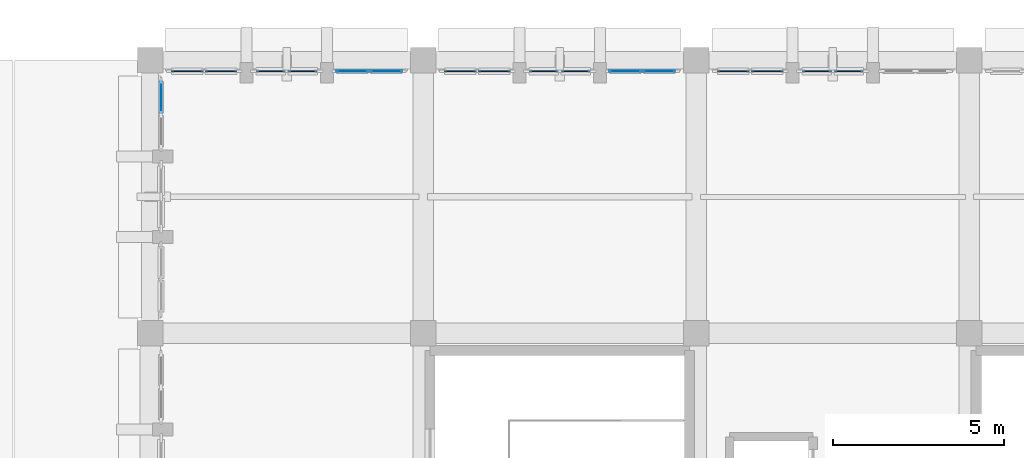
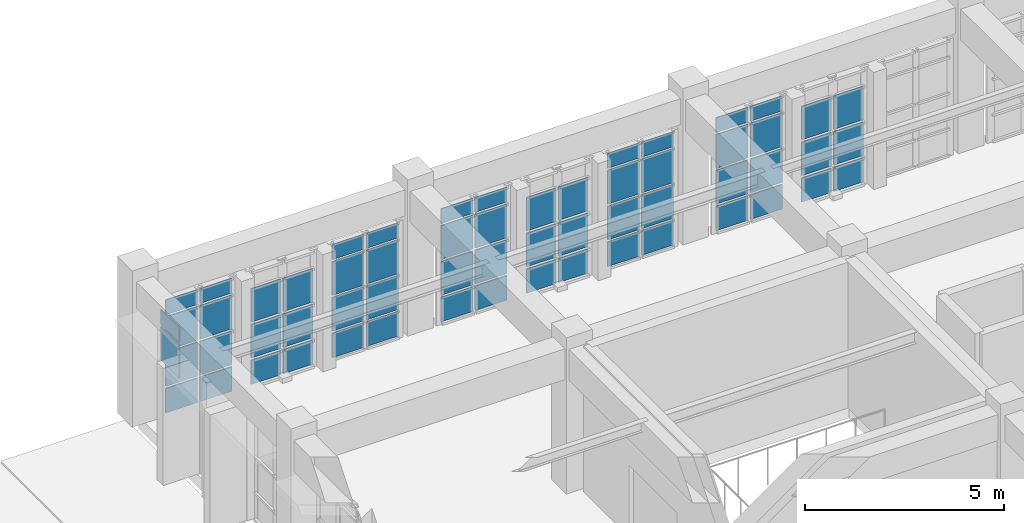
# One storey, part 103 of 155: 60 plates, 9 elements without a shape of their own.
"""IFC4 building model written with IfcOpenShell, lengths in metres."""

import ifcopenshell
import ifcopenshell.guid

model = None  # the IFC model being written
_history = None  # IfcOwnerHistory: only IFC2X3 demands one
_inside = {}  # id of a spatial element -> (the spatial element, [elements in it])
_under = {}  # id of a project, library or spatial element -> (it, [spatial elements below it])
_declared = {}  # id of a project -> (the project, [libraries it declares])
_typed = {}  # id of a type object -> (the type object, [elements of that type])
_made_of = {}  # id of a material, layer set ... -> (it, [elements and type objects made of it])


def new_model(schema):
    """Start an empty IFC model of exactly this schema.

    Asked for "IFC4X3", IfcOpenShell would pick the latest addendum, in which some entities
    have other attributes; the version numbers below select the first issue.
    IFC2X3 requires an IfcOwnerHistory on every rooted entity: one is made here for all.
    """
    global model, _history
    if schema == "IFC4X3":
        model = ifcopenshell.file(schema_version=(4, 3, 0, 0))
    else:
        model = ifcopenshell.file(schema=schema)
    _inside.clear()
    _under.clear()
    _declared.clear()
    _typed.clear()
    _made_of.clear()
    _history = None
    if model.schema == "IFC2X3":
        org = make("IfcOrganization", Name="unknown")
        user = make(
            "IfcPersonAndOrganization",
            ThePerson=make("IfcPerson", FamilyName="unknown"),
            TheOrganization=org,
        )
        app = make(
            "IfcApplication",
            ApplicationDeveloper=org,
            Version="unknown",
            ApplicationFullName="unknown",
            ApplicationIdentifier="unknown",
        )
        _history = make(
            "IfcOwnerHistory",
            OwningUser=user,
            OwningApplication=app,
            ChangeAction="ADDED",
            CreationDate=0,
        )
    return model


def make(cls, **values):
    """One entity of the class cls with the attributes given. An attribute that is None is left unset."""
    return model.create_entity(
        cls, **{name: value for name, value in values.items() if value is not None}
    )


def rooted(cls, **values):
    """An entity with a GlobalId (a new one), such as an element, a storey or a relation."""
    return make(cls, GlobalId=ifcopenshell.guid.new(), OwnerHistory=_history, **values)


def si_unit(unit_type, name, prefix=None):
    """IfcSIUnit, for example si_unit("LENGTHUNIT", "METRE", prefix="MILLI")."""
    return make("IfcSIUnit", UnitType=unit_type, Prefix=prefix, Name=name)


def assignment(units):
    """IfcUnitAssignment: the units of a project."""
    return None if units is None else make("IfcUnitAssignment", Units=units)


def point(xyz):
    """IfcCartesianPoint."""
    return None if xyz is None else make("IfcCartesianPoint", Coordinates=xyz)


def direction(xyz):
    """IfcDirection."""
    return None if xyz is None else make("IfcDirection", DirectionRatios=xyz)


def frame(location, z_axis=None, x_axis=None):
    """IfcAxis2Placement3D, a coordinate frame: its origin and axes. An axis left out is left unset."""
    return make(
        "IfcAxis2Placement3D",
        Location=point(location),
        Axis=direction(z_axis),
        RefDirection=direction(x_axis),
    )


def frame_2d(location, x_axis=None):
    """IfcAxis2Placement2D, a coordinate frame in the plane: its origin and x axis."""
    return make(
        "IfcAxis2Placement2D", Location=point(location), RefDirection=direction(x_axis)
    )


def origin():
    """The frame at (0, 0, 0) with its axes left unset."""
    return frame((0.0, 0.0, 0.0))


def origin_2d():
    """The frame at (0, 0) in the plane with its x axis left unset."""
    return frame_2d((0.0, 0.0))


def place(relative_to, where):
    """IfcLocalPlacement: puts the frame where relative to a parent placement (None: the world)."""
    return make(
        "IfcLocalPlacement", PlacementRelTo=relative_to, RelativePlacement=where
    )


def context(
    kind, dimensions, precision=None, world=None, true_north=None, identifier=None
):
    """IfcGeometricRepresentationContext, for example the 3D "Model" context."""
    return make(
        "IfcGeometricRepresentationContext",
        ContextIdentifier=identifier,
        ContextType=kind,
        CoordinateSpaceDimension=dimensions,
        Precision=precision,
        WorldCoordinateSystem=world,
        TrueNorth=true_north,
    )


def subcontext(parent, identifier, kind, view, scale=None):
    """IfcGeometricRepresentationSubContext, for example "Body" below "Model"."""
    return make(
        "IfcGeometricRepresentationSubContext",
        ContextIdentifier=identifier,
        ContextType=kind,
        ParentContext=parent,
        TargetScale=scale,
        TargetView=view,
    )


def project(units=None, contexts=None):
    """IfcProject with its units and contexts."""
    return rooted(
        "IfcProject",
        Name="project",
        RepresentationContexts=contexts,
        UnitsInContext=assignment(units),
    )


def spatial(cls, under=None, at=None, **own):
    """A site, building, storey or space (cls), placed at a placement, below another one or the project."""
    s = rooted(cls, ObjectPlacement=at, **own)
    if under is not None:
        _under.setdefault(under.id(), (under, []))[1].append(s)
    return s


def profile(cls, at=None, kind="AREA", **sizes):
    """A parametric profile (cls). Its sizes go by their IFC names, for example OverallWidth=200.0."""
    return make(cls, ProfileType=kind, Position=at, **sizes)


def rectangle(**sizes):
    """IfcRectangleProfileDef."""
    return profile("IfcRectangleProfileDef", **sizes)


def extrude(swept, where, along, depth):
    """IfcExtrudedAreaSolid: the profile swept, set in the frame where, extruded along a direction by depth."""
    return make(
        "IfcExtrudedAreaSolid",
        SweptArea=swept,
        Position=where,
        ExtrudedDirection=direction(along),
        Depth=depth,
    )


def shape(context_of_items, identifier, shape_type, items):
    """IfcShapeRepresentation: the items that make up one representation, for example the "Body"."""
    return make(
        "IfcShapeRepresentation",
        ContextOfItems=context_of_items,
        RepresentationIdentifier=identifier,
        RepresentationType=shape_type,
        Items=items,
    )


def material(Name=None, Category=None):
    """IfcMaterial."""
    return make("IfcMaterial", Name=Name, Category=Category)


def layer(
    of_material, thickness, ventilated=None, Name=None, Category=None, Priority=None
):
    """IfcMaterialLayer: one layer of a wall or slab, of a material (None: an air gap)."""
    return make(
        "IfcMaterialLayer",
        Material=of_material,
        LayerThickness=thickness,
        IsVentilated=ventilated,
        Name=Name,
        Category=Category,
        Priority=Priority,
    )


def layer_set(layers, Name=None):
    """IfcMaterialLayerSet."""
    return make("IfcMaterialLayerSet", MaterialLayers=layers, LayerSetName=Name)


def made_of(thing, what):
    """Note that an element or type object is made of a material, layer set ...; save() writes the relation."""
    if what is not None:
        _made_of.setdefault(what.id(), (what, []))[1].append(thing)
    return thing


def type_object(cls, material=None, **own):
    """A type object (cls), such as IfcWallType, which elements share."""
    return made_of(rooted(cls, **own), material)


def element(
    cls,
    number,
    at=None,
    inside=None,
    cuts=None,
    type_object=None,
    material=None,
    context=None,
    identifier="Body",
    shape_type=None,
    held_by="IfcProductDefinitionShape",
    body=None,
    shapes=None,
    **own,
):
    """One element of the class cls, such as IfcWall. Its Tag is "e" and its number.

    at: its placement. inside: the storey or other place that contains it. cuts: it is an
    opening in that element (IfcRelVoidsElement). A single representation is given by context,
    identifier, shape_type and body (its items); several are given by shapes. held_by: the class
    of the entity that holds the representations. save() writes the other relations.
    """
    e = rooted(cls, Tag="e%d" % number, ObjectPlacement=at, **own)
    if body is not None:
        shapes = [shape(context, identifier, shape_type, body)]
    if shapes is not None:
        e.Representation = make(held_by, Representations=shapes)
    if inside is not None:
        _inside.setdefault(inside.id(), (inside, []))[1].append(e)
    if cuts is not None:
        rooted(
            "IfcRelVoidsElement", RelatingBuildingElement=cuts, RelatedOpeningElement=e
        )
    if type_object is not None:
        _typed.setdefault(type_object.id(), (type_object, []))[1].append(e)
    return made_of(e, material)


def aggregate(whole, parts):
    """IfcRelAggregates: a whole, such as a stair, and the parts it consists of."""
    return rooted("IfcRelAggregates", RelatingObject=whole, RelatedObjects=parts)


def save(model, path):
    """Write the relations noted so far, then the file.

    IfcRelAggregates (storeys below a building ...), IfcRelContainedInSpatialStructure (elements
    in a storey), IfcRelDefinesByType, IfcRelAssociatesMaterial and IfcRelDeclares: one each for
    every whole, place, type object, material and project.
    """
    for whole, parts in _under.values():
        aggregate(whole, parts)
    for where, things in _inside.values():
        rooted(
            "IfcRelContainedInSpatialStructure",
            RelatedElements=things,
            RelatingStructure=where,
        )
    for kind, things in _typed.values():
        rooted("IfcRelDefinesByType", RelatedObjects=things, RelatingType=kind)
    for what, things in _made_of.values():
        rooted("IfcRelAssociatesMaterial", RelatedObjects=things, RelatingMaterial=what)
    for by, libraries in _declared.values():
        rooted("IfcRelDeclares", RelatingContext=by, RelatedDefinitions=libraries)
    model.write(path)


model = new_model("IFC4")

# Units and contexts
model_context = context("Model", 3, precision=1e-05, world=origin(), true_north=direction((0.0, 1.0)))
body_context = subcontext(model_context, "Body", "Model", "MODEL_VIEW")
ifc_project = project(units=[si_unit("LENGTHUNIT", "METRE"), si_unit("AREAUNIT", "SQUARE_METRE"), si_unit("VOLUMEUNIT", "CUBIC_METRE"), si_unit("PLANEANGLEUNIT", "RADIAN"), si_unit("MASSUNIT", "GRAM", prefix="KILO")], contexts=[model_context])

# Site, building, storey
site_placement = place(None, origin())
site = spatial("IfcSite", under=ifc_project, at=site_placement, CompositionType="ELEMENT")
building_placement = place(site_placement, origin())
building = spatial("IfcBuilding", under=site, at=building_placement, Name="Tazarka Park Arena", CompositionType="ELEMENT")
storey_placement = place(building_placement, frame((0.0, 0.0, 5.39990234375)))
storey = spatial("IfcBuildingStorey", under=building, at=storey_placement, Name="L01", CompositionType="ELEMENT", Elevation=5.39990234375)

# Curtain wall, plates
ifc_material_1 = material(Name="Aluminium and low-e glass", Category="aluminium")
ifc_layer_1 = layer(ifc_material_1, 0.179931640625, Name="Aluminium and low-e glass")
ifc_layer_set_1 = layer_set([ifc_layer_1], Name="Aluminium and low-e glass")
curtain_wall_type_1 = type_object("IfcCurtainWallType", Name="CW-21", PredefinedType="NOTDEFINED", material=ifc_layer_set_1)
curtain_wall_1_placement = place(storey_placement, origin())
curtain_wall_1 = element("IfcCurtainWall", 1, at=curtain_wall_1_placement, inside=storey, type_object=curtain_wall_type_1, Name="Curtain Wall CWA-L01-051", PredefinedType="NOTDEFINED")
ifc_material_2 = material(Name="Double low-e insulated glazing", Category="glass")
ifc_layer_2 = layer(ifc_material_2, 0.028076171875, Name="Double low-e insulated glazing")
ifc_layer_set_2 = layer_set([ifc_layer_2], Name="Double low-e insulated glazing")
plate_type_1 = type_object("IfcPlateType", Name="CWP-01", PredefinedType="CURTAIN_PANEL", material=ifc_layer_set_2)
plate_1_placement = place(storey_placement, frame((53.92138671875, 127.679931640625, 0.065185546875), z_axis=(0.0, 0.0, 1.0), x_axis=(1.0, 0.0, 0.0)))
plate_1 = element("IfcPlate", 2, at=plate_1_placement, type_object=plate_type_1, Name="CW-21 panel 1.1", PredefinedType="CURTAIN_PANEL", context=body_context, shape_type="SweptSolid", body=[
    extrude(rectangle(XDim=0.92919921875, YDim=0.028076171875, at=origin_2d()), origin(), (0.0, 0.0, 1.0), 0.75244140625),
])
plate_2_placement = place(storey_placement, frame((53.92138671875, 127.679931640625, 0.8828125), z_axis=(0.0, 0.0, 1.0), x_axis=(1.0, 0.0, 0.0)))
plate_2 = element("IfcPlate", 3, at=plate_2_placement, type_object=plate_type_1, Name="CW-21 panel 1.2", PredefinedType="CURTAIN_PANEL", context=body_context, shape_type="SweptSolid", body=[
    extrude(rectangle(XDim=0.92919921875, YDim=0.028076171875, at=origin_2d()), origin(), (0.0, 0.0, 1.0), 1.034912109375),
])
plate_3_placement = place(storey_placement, frame((53.92138671875, 127.679931640625, 1.982421875), z_axis=(0.0, 0.0, 1.0), x_axis=(1.0, 0.0, 0.0)))
plate_3 = element("IfcPlate", 4, at=plate_3_placement, type_object=plate_type_1, Name="CW-21 panel 1.3", PredefinedType="CURTAIN_PANEL", context=body_context, shape_type="SweptSolid", body=[
    extrude(rectangle(XDim=0.92919921875, YDim=0.028076171875, at=origin_2d()), origin(), (0.0, 0.0, 1.0), 1.034912109375),
])
plate_4_placement = place(storey_placement, frame((53.92138671875, 127.679931640625, 3.08251953125), z_axis=(0.0, 0.0, 1.0), x_axis=(1.0, 0.0, 0.0)))
plate_4 = element("IfcPlate", 5, at=plate_4_placement, type_object=plate_type_1, Name="CW-21 panel 1.4", PredefinedType="CURTAIN_PANEL", context=body_context, shape_type="SweptSolid", body=[
    extrude(rectangle(XDim=0.92919921875, YDim=0.028076171875, at=origin_2d()), origin(), (0.0, 0.0, 1.0), 0.452392578125),
])
plate_5_placement = place(storey_placement, frame((54.91552734375, 127.679931640625, 0.065185546875), z_axis=(0.0, 0.0, 1.0), x_axis=(1.0, 0.0, 0.0)))
plate_5 = element("IfcPlate", 6, at=plate_5_placement, type_object=plate_type_1, Name="CW-21 panel 2.1", PredefinedType="CURTAIN_PANEL", context=body_context, shape_type="SweptSolid", body=[
    extrude(rectangle(XDim=0.92919921875, YDim=0.028076171875, at=origin_2d()), origin(), (0.0, 0.0, 1.0), 0.75244140625),
])
plate_6_placement = place(storey_placement, frame((54.91552734375, 127.679931640625, 0.8828125), z_axis=(0.0, 0.0, 1.0), x_axis=(1.0, 0.0, 0.0)))
plate_6 = element("IfcPlate", 7, at=plate_6_placement, type_object=plate_type_1, Name="CW-21 panel 2.2", PredefinedType="CURTAIN_PANEL", context=body_context, shape_type="SweptSolid", body=[
    extrude(rectangle(XDim=0.92919921875, YDim=0.028076171875, at=origin_2d()), origin(), (0.0, 0.0, 1.0), 1.034912109375),
])
plate_7_placement = place(storey_placement, frame((54.91552734375, 127.679931640625, 1.982421875), z_axis=(0.0, 0.0, 1.0), x_axis=(1.0, 0.0, 0.0)))
plate_7 = element("IfcPlate", 8, at=plate_7_placement, type_object=plate_type_1, Name="CW-21 panel 2.3", PredefinedType="CURTAIN_PANEL", context=body_context, shape_type="SweptSolid", body=[
    extrude(rectangle(XDim=0.92919921875, YDim=0.028076171875, at=origin_2d()), origin(), (0.0, 0.0, 1.0), 1.034912109375),
])
plate_8_placement = place(storey_placement, frame((54.91552734375, 127.679931640625, 3.08251953125), z_axis=(0.0, 0.0, 1.0), x_axis=(1.0, 0.0, 0.0)))
plate_8 = element("IfcPlate", 9, at=plate_8_placement, type_object=plate_type_1, Name="CW-21 panel 2.4", PredefinedType="CURTAIN_PANEL", context=body_context, shape_type="SweptSolid", body=[
    extrude(rectangle(XDim=0.92919921875, YDim=0.028076171875, at=origin_2d()), origin(), (0.0, 0.0, 1.0), 0.452392578125),
])
aggregate(curtain_wall_1, [plate_1, plate_2, plate_3, plate_4, plate_5, plate_6, plate_7, plate_8])

ifc_material_3 = material(Name="Aluminium and low-e glass", Category="aluminium")
ifc_layer_3 = layer(ifc_material_3, 0.179931640625, Name="Aluminium and low-e glass")
ifc_layer_set_3 = layer_set([ifc_layer_3], Name="Aluminium and low-e glass")
curtain_wall_type_2 = type_object("IfcCurtainWallType", Name="CW-24", PredefinedType="NOTDEFINED", material=ifc_layer_set_3)
curtain_wall_2_placement = place(storey_placement, origin())
curtain_wall_2 = element("IfcCurtainWall", 10, at=curtain_wall_2_placement, inside=storey, type_object=curtain_wall_type_2, Name="Curtain Wall CWA-L01-054", PredefinedType="NOTDEFINED")
plate_9_placement = place(storey_placement, frame((45.92138671875, 127.679931640625, 0.065185546875), z_axis=(0.0, 0.0, 1.0), x_axis=(1.0, 0.0, 0.0)))
plate_9 = element("IfcPlate", 11, at=plate_9_placement, type_object=plate_type_1, Name="CW-24 panel 1.1", PredefinedType="CURTAIN_PANEL", context=body_context, shape_type="SweptSolid", body=[
    extrude(rectangle(XDim=0.92919921875, YDim=0.028076171875, at=origin_2d()), origin(), (0.0, 0.0, 1.0), 0.75244140625),
])
plate_10_placement = place(storey_placement, frame((45.92138671875, 127.679931640625, 0.8828125), z_axis=(0.0, 0.0, 1.0), x_axis=(1.0, 0.0, 0.0)))
plate_10 = element("IfcPlate", 12, at=plate_10_placement, type_object=plate_type_1, Name="CW-24 panel 1.2", PredefinedType="CURTAIN_PANEL", context=body_context, shape_type="SweptSolid", body=[
    extrude(rectangle(XDim=0.92919921875, YDim=0.028076171875, at=origin_2d()), origin(), (0.0, 0.0, 1.0), 1.034912109375),
])
plate_11_placement = place(storey_placement, frame((45.92138671875, 127.679931640625, 1.982421875), z_axis=(0.0, 0.0, 1.0), x_axis=(1.0, 0.0, 0.0)))
plate_11 = element("IfcPlate", 13, at=plate_11_placement, type_object=plate_type_1, Name="CW-24 panel 1.3", PredefinedType="CURTAIN_PANEL", context=body_context, shape_type="SweptSolid", body=[
    extrude(rectangle(XDim=0.92919921875, YDim=0.028076171875, at=origin_2d()), origin(), (0.0, 0.0, 1.0), 1.034912109375),
])
plate_12_placement = place(storey_placement, frame((45.92138671875, 127.679931640625, 3.08251953125), z_axis=(0.0, 0.0, 1.0), x_axis=(1.0, 0.0, 0.0)))
plate_12 = element("IfcPlate", 14, at=plate_12_placement, type_object=plate_type_1, Name="CW-24 panel 1.4", PredefinedType="CURTAIN_PANEL", context=body_context, shape_type="SweptSolid", body=[
    extrude(rectangle(XDim=0.92919921875, YDim=0.028076171875, at=origin_2d()), origin(), (0.0, 0.0, 1.0), 0.452392578125),
])
plate_13_placement = place(storey_placement, frame((46.91552734375, 127.679931640625, 0.065185546875), z_axis=(0.0, 0.0, 1.0), x_axis=(1.0, 0.0, 0.0)))
plate_13 = element("IfcPlate", 15, at=plate_13_placement, type_object=plate_type_1, Name="CW-24 panel 2.1", PredefinedType="CURTAIN_PANEL", context=body_context, shape_type="SweptSolid", body=[
    extrude(rectangle(XDim=0.92919921875, YDim=0.028076171875, at=origin_2d()), origin(), (0.0, 0.0, 1.0), 0.75244140625),
])
plate_14_placement = place(storey_placement, frame((46.91552734375, 127.679931640625, 0.8828125), z_axis=(0.0, 0.0, 1.0), x_axis=(1.0, 0.0, 0.0)))
plate_14 = element("IfcPlate", 16, at=plate_14_placement, type_object=plate_type_1, Name="CW-24 panel 2.2", PredefinedType="CURTAIN_PANEL", context=body_context, shape_type="SweptSolid", body=[
    extrude(rectangle(XDim=0.92919921875, YDim=0.028076171875, at=origin_2d()), origin(), (0.0, 0.0, 1.0), 1.034912109375),
])
plate_15_placement = place(storey_placement, frame((46.91552734375, 127.679931640625, 1.982421875), z_axis=(0.0, 0.0, 1.0), x_axis=(1.0, 0.0, 0.0)))
plate_15 = element("IfcPlate", 17, at=plate_15_placement, type_object=plate_type_1, Name="CW-24 panel 2.3", PredefinedType="CURTAIN_PANEL", context=body_context, shape_type="SweptSolid", body=[
    extrude(rectangle(XDim=0.92919921875, YDim=0.028076171875, at=origin_2d()), origin(), (0.0, 0.0, 1.0), 1.034912109375),
])
plate_16_placement = place(storey_placement, frame((46.91552734375, 127.679931640625, 3.08251953125), z_axis=(0.0, 0.0, 1.0), x_axis=(1.0, 0.0, 0.0)))
plate_16 = element("IfcPlate", 18, at=plate_16_placement, type_object=plate_type_1, Name="CW-24 panel 2.4", PredefinedType="CURTAIN_PANEL", context=body_context, shape_type="SweptSolid", body=[
    extrude(rectangle(XDim=0.92919921875, YDim=0.028076171875, at=origin_2d()), origin(), (0.0, 0.0, 1.0), 0.452392578125),
])
aggregate(curtain_wall_2, [plate_9, plate_10, plate_11, plate_12, plate_13, plate_14, plate_15, plate_16])

ifc_material_4 = material(Name="Aluminium and low-e glass", Category="aluminium")
ifc_layer_4 = layer(ifc_material_4, 0.179931640625, Name="Aluminium and low-e glass")
ifc_layer_set_4 = layer_set([ifc_layer_4], Name="Aluminium and low-e glass")
curtain_wall_type_3 = type_object("IfcCurtainWallType", Name="CW-27", PredefinedType="NOTDEFINED", material=ifc_layer_set_4)
curtain_wall_3_placement = place(storey_placement, origin())
curtain_wall_3 = element("IfcCurtainWall", 19, at=curtain_wall_3_placement, inside=storey, type_object=curtain_wall_type_3, Name="Curtain Wall CWA-L01-057", PredefinedType="NOTDEFINED")
plate_17_placement = place(storey_placement, frame((40.320068359375, 126.91552734375, 1.982421875), z_axis=(0.0, 0.0, 1.0), x_axis=(0.0, 1.0, 0.0)))
plate_17 = element("IfcPlate", 20, at=plate_17_placement, type_object=plate_type_1, Name="CW-27 panel 2.3", PredefinedType="CURTAIN_PANEL", context=body_context, shape_type="SweptSolid", body=[
    extrude(rectangle(XDim=0.92919921875, YDim=0.028076171875, at=origin_2d()), origin(), (0.0, 0.0, 1.0), 1.034912109375),
])
plate_18_placement = place(storey_placement, frame((40.320068359375, 126.91552734375, 3.08251953125), z_axis=(0.0, 0.0, 1.0), x_axis=(0.0, 1.0, 0.0)))
plate_18 = element("IfcPlate", 21, at=plate_18_placement, type_object=plate_type_1, Name="CW-27 panel 2.4", PredefinedType="CURTAIN_PANEL", context=body_context, shape_type="SweptSolid", body=[
    extrude(rectangle(XDim=0.92919921875, YDim=0.028076171875, at=origin_2d()), origin(), (0.0, 0.0, 1.0), 0.452392578125),
])
aggregate(curtain_wall_3, [plate_17, plate_18])

ifc_material_5 = material(Name="Aluminium and low-e glass", Category="aluminium")
ifc_layer_5 = layer(ifc_material_5, 0.179931640625, Name="Aluminium and low-e glass")
ifc_layer_set_5 = layer_set([ifc_layer_5], Name="Aluminium and low-e glass")
curtain_wall_type_4 = type_object("IfcCurtainWallType", Name="CW-16", PredefinedType="NOTDEFINED", material=ifc_layer_set_5)
curtain_wall_4_placement = place(storey_placement, origin())
curtain_wall_4 = element("IfcCurtainWall", 22, at=curtain_wall_4_placement, inside=storey, type_object=curtain_wall_type_4, Name="Curtain Wall CWA-L01-046", PredefinedType="NOTDEFINED")
ifc_material_6 = material(Name="Triple acoustic solar glazing", Category="glass")
ifc_layer_6 = layer(ifc_material_6, 0.031982421875, Name="Triple acoustic solar glazing")
ifc_layer_set_6 = layer_set([ifc_layer_6], Name="Triple acoustic solar glazing")
plate_type_2 = type_object("IfcPlateType", Name="CWP-02", PredefinedType="CURTAIN_PANEL", material=ifc_layer_set_6)
plate_19_placement = place(storey_placement, frame((57.08447265625, 127.679931640625, 0.065185546875), z_axis=(0.0, 0.0, 1.0), x_axis=(1.0, 0.0, 0.0)))
plate_19 = element("IfcPlate", 23, at=plate_19_placement, type_object=plate_type_2, Name="CW-16 panel 1.1", PredefinedType="CURTAIN_PANEL", context=body_context, shape_type="SweptSolid", body=[
    extrude(rectangle(XDim=0.92919921875, YDim=0.031982421875, at=origin_2d()), origin(), (0.0, 0.0, 1.0), 0.75244140625),
])
plate_20_placement = place(storey_placement, frame((57.08447265625, 127.679931640625, 0.8828125), z_axis=(0.0, 0.0, 1.0), x_axis=(1.0, 0.0, 0.0)))
plate_20 = element("IfcPlate", 24, at=plate_20_placement, type_object=plate_type_2, Name="CW-16 panel 1.2", PredefinedType="CURTAIN_PANEL", context=body_context, shape_type="SweptSolid", body=[
    extrude(rectangle(XDim=0.92919921875, YDim=0.031982421875, at=origin_2d()), origin(), (0.0, 0.0, 1.0), 1.034912109375),
])
plate_21_placement = place(storey_placement, frame((57.08447265625, 127.679931640625, 1.982421875), z_axis=(0.0, 0.0, 1.0), x_axis=(1.0, 0.0, 0.0)))
plate_21 = element("IfcPlate", 25, at=plate_21_placement, type_object=plate_type_2, Name="CW-16 panel 1.3", PredefinedType="CURTAIN_PANEL", context=body_context, shape_type="SweptSolid", body=[
    extrude(rectangle(XDim=0.92919921875, YDim=0.031982421875, at=origin_2d()), origin(), (0.0, 0.0, 1.0), 1.034912109375),
])
plate_22_placement = place(storey_placement, frame((57.08447265625, 127.679931640625, 3.08251953125), z_axis=(0.0, 0.0, 1.0), x_axis=(1.0, 0.0, 0.0)))
plate_22 = element("IfcPlate", 26, at=plate_22_placement, type_object=plate_type_2, Name="CW-16 panel 1.4", PredefinedType="CURTAIN_PANEL", context=body_context, shape_type="SweptSolid", body=[
    extrude(rectangle(XDim=0.92919921875, YDim=0.031982421875, at=origin_2d()), origin(), (0.0, 0.0, 1.0), 0.452392578125),
])
plate_23_placement = place(storey_placement, frame((58.07861328125, 127.679931640625, 0.065185546875), z_axis=(0.0, 0.0, 1.0), x_axis=(1.0, 0.0, 0.0)))
plate_23 = element("IfcPlate", 27, at=plate_23_placement, type_object=plate_type_2, Name="CW-16 panel 2.1", PredefinedType="CURTAIN_PANEL", context=body_context, shape_type="SweptSolid", body=[
    extrude(rectangle(XDim=0.92919921875, YDim=0.031982421875, at=origin_2d()), origin(), (0.0, 0.0, 1.0), 0.75244140625),
])
plate_24_placement = place(storey_placement, frame((58.07861328125, 127.679931640625, 0.8828125), z_axis=(0.0, 0.0, 1.0), x_axis=(1.0, 0.0, 0.0)))
plate_24 = element("IfcPlate", 28, at=plate_24_placement, type_object=plate_type_2, Name="CW-16 panel 2.2", PredefinedType="CURTAIN_PANEL", context=body_context, shape_type="SweptSolid", body=[
    extrude(rectangle(XDim=0.92919921875, YDim=0.031982421875, at=origin_2d()), origin(), (0.0, 0.0, 1.0), 1.034912109375),
])
plate_25_placement = place(storey_placement, frame((58.07861328125, 127.679931640625, 1.982421875), z_axis=(0.0, 0.0, 1.0), x_axis=(1.0, 0.0, 0.0)))
plate_25 = element("IfcPlate", 29, at=plate_25_placement, type_object=plate_type_2, Name="CW-16 panel 2.3", PredefinedType="CURTAIN_PANEL", context=body_context, shape_type="SweptSolid", body=[
    extrude(rectangle(XDim=0.92919921875, YDim=0.031982421875, at=origin_2d()), origin(), (0.0, 0.0, 1.0), 1.034912109375),
])
plate_26_placement = place(storey_placement, frame((58.07861328125, 127.679931640625, 3.08251953125), z_axis=(0.0, 0.0, 1.0), x_axis=(1.0, 0.0, 0.0)))
plate_26 = element("IfcPlate", 30, at=plate_26_placement, type_object=plate_type_2, Name="CW-16 panel 2.4", PredefinedType="CURTAIN_PANEL", context=body_context, shape_type="SweptSolid", body=[
    extrude(rectangle(XDim=0.92919921875, YDim=0.031982421875, at=origin_2d()), origin(), (0.0, 0.0, 1.0), 0.452392578125),
])
aggregate(curtain_wall_4, [plate_19, plate_20, plate_21, plate_22, plate_23, plate_24, plate_25, plate_26])

ifc_material_7 = material(Name="Aluminium and low-e glass", Category="aluminium")
ifc_layer_7 = layer(ifc_material_7, 0.179931640625, Name="Aluminium and low-e glass")
ifc_layer_set_7 = layer_set([ifc_layer_7], Name="Aluminium and low-e glass")
curtain_wall_type_5 = type_object("IfcCurtainWallType", Name="CW-19", PredefinedType="NOTDEFINED", material=ifc_layer_set_7)
curtain_wall_5_placement = place(storey_placement, origin())
curtain_wall_5 = element("IfcCurtainWall", 31, at=curtain_wall_5_placement, inside=storey, type_object=curtain_wall_type_5, Name="Curtain Wall CWA-L01-049", PredefinedType="NOTDEFINED")
plate_27_placement = place(storey_placement, frame((49.08447265625, 127.679931640625, 0.065185546875), z_axis=(0.0, 0.0, 1.0), x_axis=(1.0, 0.0, 0.0)))
plate_27 = element("IfcPlate", 32, at=plate_27_placement, type_object=plate_type_2, Name="CW-19 panel 1.1", PredefinedType="CURTAIN_PANEL", context=body_context, shape_type="SweptSolid", body=[
    extrude(rectangle(XDim=0.92919921875, YDim=0.031982421875, at=origin_2d()), origin(), (0.0, 0.0, 1.0), 0.75244140625),
])
plate_28_placement = place(storey_placement, frame((49.08447265625, 127.679931640625, 0.8828125), z_axis=(0.0, 0.0, 1.0), x_axis=(1.0, 0.0, 0.0)))
plate_28 = element("IfcPlate", 33, at=plate_28_placement, type_object=plate_type_2, Name="CW-19 panel 1.2", PredefinedType="CURTAIN_PANEL", context=body_context, shape_type="SweptSolid", body=[
    extrude(rectangle(XDim=0.92919921875, YDim=0.031982421875, at=origin_2d()), origin(), (0.0, 0.0, 1.0), 1.034912109375),
])
plate_29_placement = place(storey_placement, frame((49.08447265625, 127.679931640625, 1.982421875), z_axis=(0.0, 0.0, 1.0), x_axis=(1.0, 0.0, 0.0)))
plate_29 = element("IfcPlate", 34, at=plate_29_placement, type_object=plate_type_2, Name="CW-19 panel 1.3", PredefinedType="CURTAIN_PANEL", context=body_context, shape_type="SweptSolid", body=[
    extrude(rectangle(XDim=0.92919921875, YDim=0.031982421875, at=origin_2d()), origin(), (0.0, 0.0, 1.0), 1.034912109375),
])
plate_30_placement = place(storey_placement, frame((49.08447265625, 127.679931640625, 3.08251953125), z_axis=(0.0, 0.0, 1.0), x_axis=(1.0, 0.0, 0.0)))
plate_30 = element("IfcPlate", 35, at=plate_30_placement, type_object=plate_type_2, Name="CW-19 panel 1.4", PredefinedType="CURTAIN_PANEL", context=body_context, shape_type="SweptSolid", body=[
    extrude(rectangle(XDim=0.92919921875, YDim=0.031982421875, at=origin_2d()), origin(), (0.0, 0.0, 1.0), 0.452392578125),
])
plate_31_placement = place(storey_placement, frame((50.07861328125, 127.679931640625, 0.065185546875), z_axis=(0.0, 0.0, 1.0), x_axis=(1.0, 0.0, 0.0)))
plate_31 = element("IfcPlate", 36, at=plate_31_placement, type_object=plate_type_2, Name="CW-19 panel 2.1", PredefinedType="CURTAIN_PANEL", context=body_context, shape_type="SweptSolid", body=[
    extrude(rectangle(XDim=0.92919921875, YDim=0.031982421875, at=origin_2d()), origin(), (0.0, 0.0, 1.0), 0.75244140625),
])
plate_32_placement = place(storey_placement, frame((50.07861328125, 127.679931640625, 0.8828125), z_axis=(0.0, 0.0, 1.0), x_axis=(1.0, 0.0, 0.0)))
plate_32 = element("IfcPlate", 37, at=plate_32_placement, type_object=plate_type_2, Name="CW-19 panel 2.2", PredefinedType="CURTAIN_PANEL", context=body_context, shape_type="SweptSolid", body=[
    extrude(rectangle(XDim=0.92919921875, YDim=0.031982421875, at=origin_2d()), origin(), (0.0, 0.0, 1.0), 1.034912109375),
])
plate_33_placement = place(storey_placement, frame((50.07861328125, 127.679931640625, 1.982421875), z_axis=(0.0, 0.0, 1.0), x_axis=(1.0, 0.0, 0.0)))
plate_33 = element("IfcPlate", 38, at=plate_33_placement, type_object=plate_type_2, Name="CW-19 panel 2.3", PredefinedType="CURTAIN_PANEL", context=body_context, shape_type="SweptSolid", body=[
    extrude(rectangle(XDim=0.92919921875, YDim=0.031982421875, at=origin_2d()), origin(), (0.0, 0.0, 1.0), 1.034912109375),
])
plate_34_placement = place(storey_placement, frame((50.07861328125, 127.679931640625, 3.08251953125), z_axis=(0.0, 0.0, 1.0), x_axis=(1.0, 0.0, 0.0)))
plate_34 = element("IfcPlate", 39, at=plate_34_placement, type_object=plate_type_2, Name="CW-19 panel 2.4", PredefinedType="CURTAIN_PANEL", context=body_context, shape_type="SweptSolid", body=[
    extrude(rectangle(XDim=0.92919921875, YDim=0.031982421875, at=origin_2d()), origin(), (0.0, 0.0, 1.0), 0.452392578125),
])
aggregate(curtain_wall_5, [plate_27, plate_28, plate_29, plate_30, plate_31, plate_32, plate_33, plate_34])

ifc_material_8 = material(Name="Aluminium and low-e glass", Category="aluminium")
ifc_layer_8 = layer(ifc_material_8, 0.179931640625, Name="Aluminium and low-e glass")
ifc_layer_set_8 = layer_set([ifc_layer_8], Name="Aluminium and low-e glass")
curtain_wall_type_6 = type_object("IfcCurtainWallType", Name="CW-22", PredefinedType="NOTDEFINED", material=ifc_layer_set_8)
curtain_wall_6_placement = place(storey_placement, origin())
curtain_wall_6 = element("IfcCurtainWall", 40, at=curtain_wall_6_placement, inside=storey, type_object=curtain_wall_type_6, Name="Curtain Wall CWA-L01-052", PredefinedType="NOTDEFINED")
plate_35_placement = place(storey_placement, frame((41.08447265625, 127.679931640625, 0.065185546875), z_axis=(0.0, 0.0, 1.0), x_axis=(1.0, 0.0, 0.0)))
plate_35 = element("IfcPlate", 41, at=plate_35_placement, type_object=plate_type_2, Name="CW-22 panel 1.1", PredefinedType="CURTAIN_PANEL", context=body_context, shape_type="SweptSolid", body=[
    extrude(rectangle(XDim=0.92919921875, YDim=0.031982421875, at=origin_2d()), origin(), (0.0, 0.0, 1.0), 0.75244140625),
])
plate_36_placement = place(storey_placement, frame((41.08447265625, 127.679931640625, 0.8828125), z_axis=(0.0, 0.0, 1.0), x_axis=(1.0, 0.0, 0.0)))
plate_36 = element("IfcPlate", 42, at=plate_36_placement, type_object=plate_type_2, Name="CW-22 panel 1.2", PredefinedType="CURTAIN_PANEL", context=body_context, shape_type="SweptSolid", body=[
    extrude(rectangle(XDim=0.92919921875, YDim=0.031982421875, at=origin_2d()), origin(), (0.0, 0.0, 1.0), 1.034912109375),
])
plate_37_placement = place(storey_placement, frame((41.08447265625, 127.679931640625, 1.982421875), z_axis=(0.0, 0.0, 1.0), x_axis=(1.0, 0.0, 0.0)))
plate_37 = element("IfcPlate", 43, at=plate_37_placement, type_object=plate_type_2, Name="CW-22 panel 1.3", PredefinedType="CURTAIN_PANEL", context=body_context, shape_type="SweptSolid", body=[
    extrude(rectangle(XDim=0.92919921875, YDim=0.031982421875, at=origin_2d()), origin(), (0.0, 0.0, 1.0), 1.034912109375),
])
plate_38_placement = place(storey_placement, frame((41.08447265625, 127.679931640625, 3.08251953125), z_axis=(0.0, 0.0, 1.0), x_axis=(1.0, 0.0, 0.0)))
plate_38 = element("IfcPlate", 44, at=plate_38_placement, type_object=plate_type_2, Name="CW-22 panel 1.4", PredefinedType="CURTAIN_PANEL", context=body_context, shape_type="SweptSolid", body=[
    extrude(rectangle(XDim=0.92919921875, YDim=0.031982421875, at=origin_2d()), origin(), (0.0, 0.0, 1.0), 0.452392578125),
])
plate_39_placement = place(storey_placement, frame((42.07861328125, 127.679931640625, 0.065185546875), z_axis=(0.0, 0.0, 1.0), x_axis=(1.0, 0.0, 0.0)))
plate_39 = element("IfcPlate", 45, at=plate_39_placement, type_object=plate_type_2, Name="CW-22 panel 2.1", PredefinedType="CURTAIN_PANEL", context=body_context, shape_type="SweptSolid", body=[
    extrude(rectangle(XDim=0.92919921875, YDim=0.031982421875, at=origin_2d()), origin(), (0.0, 0.0, 1.0), 0.75244140625),
])
plate_40_placement = place(storey_placement, frame((42.07861328125, 127.679931640625, 0.8828125), z_axis=(0.0, 0.0, 1.0), x_axis=(1.0, 0.0, 0.0)))
plate_40 = element("IfcPlate", 46, at=plate_40_placement, type_object=plate_type_2, Name="CW-22 panel 2.2", PredefinedType="CURTAIN_PANEL", context=body_context, shape_type="SweptSolid", body=[
    extrude(rectangle(XDim=0.92919921875, YDim=0.031982421875, at=origin_2d()), origin(), (0.0, 0.0, 1.0), 1.034912109375),
])
plate_41_placement = place(storey_placement, frame((42.07861328125, 127.679931640625, 1.982421875), z_axis=(0.0, 0.0, 1.0), x_axis=(1.0, 0.0, 0.0)))
plate_41 = element("IfcPlate", 47, at=plate_41_placement, type_object=plate_type_2, Name="CW-22 panel 2.3", PredefinedType="CURTAIN_PANEL", context=body_context, shape_type="SweptSolid", body=[
    extrude(rectangle(XDim=0.92919921875, YDim=0.031982421875, at=origin_2d()), origin(), (0.0, 0.0, 1.0), 1.034912109375),
])
plate_42_placement = place(storey_placement, frame((42.07861328125, 127.679931640625, 3.08251953125), z_axis=(0.0, 0.0, 1.0), x_axis=(1.0, 0.0, 0.0)))
plate_42 = element("IfcPlate", 48, at=plate_42_placement, type_object=plate_type_2, Name="CW-22 panel 2.4", PredefinedType="CURTAIN_PANEL", context=body_context, shape_type="SweptSolid", body=[
    extrude(rectangle(XDim=0.92919921875, YDim=0.031982421875, at=origin_2d()), origin(), (0.0, 0.0, 1.0), 0.452392578125),
])
aggregate(curtain_wall_6, [plate_35, plate_36, plate_37, plate_38, plate_39, plate_40, plate_41, plate_42])

ifc_material_9 = material(Name="Aluminium and low-e glass", Category="aluminium")
ifc_layer_9 = layer(ifc_material_9, 0.179931640625, Name="Aluminium and low-e glass")
ifc_layer_set_9 = layer_set([ifc_layer_9], Name="Aluminium and low-e glass")
curtain_wall_type_7 = type_object("IfcCurtainWallType", Name="CW-17", PredefinedType="NOTDEFINED", material=ifc_layer_set_9)
curtain_wall_7_placement = place(storey_placement, origin())
curtain_wall_7 = element("IfcCurtainWall", 49, at=curtain_wall_7_placement, inside=storey, type_object=curtain_wall_type_7, Name="Curtain Wall CWA-L01-047", PredefinedType="NOTDEFINED")
ifc_material_10 = material(Name="Insulated aluminium spandrel panel", Category="aluminium")
ifc_layer_10 = layer(ifc_material_10, 0.035888671875, Name="Insulated aluminium spandrel panel")
ifc_layer_set_10 = layer_set([ifc_layer_10], Name="Insulated aluminium spandrel panel")
plate_type_3 = type_object("IfcPlateType", Name="CWP-03", PredefinedType="CURTAIN_PANEL", material=ifc_layer_set_10)
plate_43_placement = place(storey_placement, frame((59.532958984375, 127.679931640625, 0.0751953125), z_axis=(0.0, 0.0, 1.0), x_axis=(1.0, 0.0, 0.0)))
plate_43 = element("IfcPlate", 50, at=plate_43_placement, type_object=plate_type_3, Name="CW-17 panel 1.1", PredefinedType="CURTAIN_PANEL", context=body_context, shape_type="SweptSolid", body=[
    extrude(rectangle(XDim=0.859130859375, YDim=0.035888671875, at=origin_2d()), origin(), (0.0, 0.0, 1.0), 0.737548828125),
])
plate_44_placement = place(storey_placement, frame((59.532958984375, 127.679931640625, 0.8876953125), z_axis=(0.0, 0.0, 1.0), x_axis=(1.0, 0.0, 0.0)))
plate_44 = element("IfcPlate", 51, at=plate_44_placement, type_object=plate_type_3, Name="CW-17 panel 1.2", PredefinedType="CURTAIN_PANEL", context=body_context, shape_type="SweptSolid", body=[
    extrude(rectangle(XDim=0.859130859375, YDim=0.035888671875, at=origin_2d()), origin(), (0.0, 0.0, 1.0), 1.02490234375),
])
plate_45_placement = place(storey_placement, frame((59.532958984375, 127.679931640625, 1.987548828125), z_axis=(0.0, 0.0, 1.0), x_axis=(1.0, 0.0, 0.0)))
plate_45 = element("IfcPlate", 52, at=plate_45_placement, type_object=plate_type_3, Name="CW-17 panel 1.3", PredefinedType="CURTAIN_PANEL", context=body_context, shape_type="SweptSolid", body=[
    extrude(rectangle(XDim=0.859130859375, YDim=0.035888671875, at=origin_2d()), origin(), (0.0, 0.0, 1.0), 1.02490234375),
])
plate_46_placement = place(storey_placement, frame((60.467041015625, 127.679931640625, 0.0751953125), z_axis=(0.0, 0.0, 1.0), x_axis=(1.0, 0.0, 0.0)))
plate_46 = element("IfcPlate", 53, at=plate_46_placement, type_object=plate_type_3, Name="CW-17 panel 2.1", PredefinedType="CURTAIN_PANEL", context=body_context, shape_type="SweptSolid", body=[
    extrude(rectangle(XDim=0.859130859375, YDim=0.035888671875, at=origin_2d()), origin(), (0.0, 0.0, 1.0), 0.737548828125),
])
plate_47_placement = place(storey_placement, frame((60.467041015625, 127.679931640625, 0.8876953125), z_axis=(0.0, 0.0, 1.0), x_axis=(1.0, 0.0, 0.0)))
plate_47 = element("IfcPlate", 54, at=plate_47_placement, type_object=plate_type_3, Name="CW-17 panel 2.2", PredefinedType="CURTAIN_PANEL", context=body_context, shape_type="SweptSolid", body=[
    extrude(rectangle(XDim=0.859130859375, YDim=0.035888671875, at=origin_2d()), origin(), (0.0, 0.0, 1.0), 1.02490234375),
])
plate_48_placement = place(storey_placement, frame((60.467041015625, 127.679931640625, 1.987548828125), z_axis=(0.0, 0.0, 1.0), x_axis=(1.0, 0.0, 0.0)))
plate_48 = element("IfcPlate", 55, at=plate_48_placement, type_object=plate_type_3, Name="CW-17 panel 2.3", PredefinedType="CURTAIN_PANEL", context=body_context, shape_type="SweptSolid", body=[
    extrude(rectangle(XDim=0.859130859375, YDim=0.035888671875, at=origin_2d()), origin(), (0.0, 0.0, 1.0), 1.02490234375),
])
aggregate(curtain_wall_7, [plate_43, plate_44, plate_45, plate_46, plate_47, plate_48])

ifc_material_11 = material(Name="Aluminium and low-e glass", Category="aluminium")
ifc_layer_11 = layer(ifc_material_11, 0.179931640625, Name="Aluminium and low-e glass")
ifc_layer_set_11 = layer_set([ifc_layer_11], Name="Aluminium and low-e glass")
curtain_wall_type_8 = type_object("IfcCurtainWallType", Name="CW-20", PredefinedType="NOTDEFINED", material=ifc_layer_set_11)
curtain_wall_8_placement = place(storey_placement, origin())
curtain_wall_8 = element("IfcCurtainWall", 56, at=curtain_wall_8_placement, inside=storey, type_object=curtain_wall_type_8, Name="Curtain Wall CWA-L01-050", PredefinedType="NOTDEFINED")
plate_49_placement = place(storey_placement, frame((51.532958984375, 127.679931640625, 0.0751953125), z_axis=(0.0, 0.0, 1.0), x_axis=(1.0, 0.0, 0.0)))
plate_49 = element("IfcPlate", 57, at=plate_49_placement, type_object=plate_type_3, Name="CW-20 panel 1.1", PredefinedType="CURTAIN_PANEL", context=body_context, shape_type="SweptSolid", body=[
    extrude(rectangle(XDim=0.859130859375, YDim=0.035888671875, at=origin_2d()), origin(), (0.0, 0.0, 1.0), 0.737548828125),
])
plate_50_placement = place(storey_placement, frame((51.532958984375, 127.679931640625, 0.8876953125), z_axis=(0.0, 0.0, 1.0), x_axis=(1.0, 0.0, 0.0)))
plate_50 = element("IfcPlate", 58, at=plate_50_placement, type_object=plate_type_3, Name="CW-20 panel 1.2", PredefinedType="CURTAIN_PANEL", context=body_context, shape_type="SweptSolid", body=[
    extrude(rectangle(XDim=0.859130859375, YDim=0.035888671875, at=origin_2d()), origin(), (0.0, 0.0, 1.0), 1.02490234375),
])
plate_51_placement = place(storey_placement, frame((51.532958984375, 127.679931640625, 1.987548828125), z_axis=(0.0, 0.0, 1.0), x_axis=(1.0, 0.0, 0.0)))
plate_51 = element("IfcPlate", 59, at=plate_51_placement, type_object=plate_type_3, Name="CW-20 panel 1.3", PredefinedType="CURTAIN_PANEL", context=body_context, shape_type="SweptSolid", body=[
    extrude(rectangle(XDim=0.859130859375, YDim=0.035888671875, at=origin_2d()), origin(), (0.0, 0.0, 1.0), 1.02490234375),
])
plate_52_placement = place(storey_placement, frame((52.467041015625, 127.679931640625, 0.0751953125), z_axis=(0.0, 0.0, 1.0), x_axis=(1.0, 0.0, 0.0)))
plate_52 = element("IfcPlate", 60, at=plate_52_placement, type_object=plate_type_3, Name="CW-20 panel 2.1", PredefinedType="CURTAIN_PANEL", context=body_context, shape_type="SweptSolid", body=[
    extrude(rectangle(XDim=0.859130859375, YDim=0.035888671875, at=origin_2d()), origin(), (0.0, 0.0, 1.0), 0.737548828125),
])
plate_53_placement = place(storey_placement, frame((52.467041015625, 127.679931640625, 0.8876953125), z_axis=(0.0, 0.0, 1.0), x_axis=(1.0, 0.0, 0.0)))
plate_53 = element("IfcPlate", 61, at=plate_53_placement, type_object=plate_type_3, Name="CW-20 panel 2.2", PredefinedType="CURTAIN_PANEL", context=body_context, shape_type="SweptSolid", body=[
    extrude(rectangle(XDim=0.859130859375, YDim=0.035888671875, at=origin_2d()), origin(), (0.0, 0.0, 1.0), 1.02490234375),
])
plate_54_placement = place(storey_placement, frame((52.467041015625, 127.679931640625, 1.987548828125), z_axis=(0.0, 0.0, 1.0), x_axis=(1.0, 0.0, 0.0)))
plate_54 = element("IfcPlate", 62, at=plate_54_placement, type_object=plate_type_3, Name="CW-20 panel 2.3", PredefinedType="CURTAIN_PANEL", context=body_context, shape_type="SweptSolid", body=[
    extrude(rectangle(XDim=0.859130859375, YDim=0.035888671875, at=origin_2d()), origin(), (0.0, 0.0, 1.0), 1.02490234375),
])
aggregate(curtain_wall_8, [plate_49, plate_50, plate_51, plate_52, plate_53, plate_54])

ifc_material_12 = material(Name="Aluminium and low-e glass", Category="aluminium")
ifc_layer_12 = layer(ifc_material_12, 0.179931640625, Name="Aluminium and low-e glass")
ifc_layer_set_12 = layer_set([ifc_layer_12], Name="Aluminium and low-e glass")
curtain_wall_type_9 = type_object("IfcCurtainWallType", Name="CW-23", PredefinedType="NOTDEFINED", material=ifc_layer_set_12)
curtain_wall_9_placement = place(storey_placement, origin())
curtain_wall_9 = element("IfcCurtainWall", 63, at=curtain_wall_9_placement, inside=storey, type_object=curtain_wall_type_9, Name="Curtain Wall CWA-L01-053", PredefinedType="NOTDEFINED")
plate_55_placement = place(storey_placement, frame((43.532958984375, 127.679931640625, 0.0751953125), z_axis=(0.0, 0.0, 1.0), x_axis=(1.0, 0.0, 0.0)))
plate_55 = element("IfcPlate", 64, at=plate_55_placement, type_object=plate_type_3, Name="CW-23 panel 1.1", PredefinedType="CURTAIN_PANEL", context=body_context, shape_type="SweptSolid", body=[
    extrude(rectangle(XDim=0.859130859375, YDim=0.035888671875, at=origin_2d()), origin(), (0.0, 0.0, 1.0), 0.737548828125),
])
plate_56_placement = place(storey_placement, frame((43.532958984375, 127.679931640625, 0.8876953125), z_axis=(0.0, 0.0, 1.0), x_axis=(1.0, 0.0, 0.0)))
plate_56 = element("IfcPlate", 65, at=plate_56_placement, type_object=plate_type_3, Name="CW-23 panel 1.2", PredefinedType="CURTAIN_PANEL", context=body_context, shape_type="SweptSolid", body=[
    extrude(rectangle(XDim=0.859130859375, YDim=0.035888671875, at=origin_2d()), origin(), (0.0, 0.0, 1.0), 1.02490234375),
])
plate_57_placement = place(storey_placement, frame((43.532958984375, 127.679931640625, 1.987548828125), z_axis=(0.0, 0.0, 1.0), x_axis=(1.0, 0.0, 0.0)))
plate_57 = element("IfcPlate", 66, at=plate_57_placement, type_object=plate_type_3, Name="CW-23 panel 1.3", PredefinedType="CURTAIN_PANEL", context=body_context, shape_type="SweptSolid", body=[
    extrude(rectangle(XDim=0.859130859375, YDim=0.035888671875, at=origin_2d()), origin(), (0.0, 0.0, 1.0), 1.02490234375),
])
plate_58_placement = place(storey_placement, frame((44.467041015625, 127.679931640625, 0.0751953125), z_axis=(0.0, 0.0, 1.0), x_axis=(1.0, 0.0, 0.0)))
plate_58 = element("IfcPlate", 67, at=plate_58_placement, type_object=plate_type_3, Name="CW-23 panel 2.1", PredefinedType="CURTAIN_PANEL", context=body_context, shape_type="SweptSolid", body=[
    extrude(rectangle(XDim=0.859130859375, YDim=0.035888671875, at=origin_2d()), origin(), (0.0, 0.0, 1.0), 0.737548828125),
])
plate_59_placement = place(storey_placement, frame((44.467041015625, 127.679931640625, 0.8876953125), z_axis=(0.0, 0.0, 1.0), x_axis=(1.0, 0.0, 0.0)))
plate_59 = element("IfcPlate", 68, at=plate_59_placement, type_object=plate_type_3, Name="CW-23 panel 2.2", PredefinedType="CURTAIN_PANEL", context=body_context, shape_type="SweptSolid", body=[
    extrude(rectangle(XDim=0.859130859375, YDim=0.035888671875, at=origin_2d()), origin(), (0.0, 0.0, 1.0), 1.02490234375),
])
plate_60_placement = place(storey_placement, frame((44.467041015625, 127.679931640625, 1.987548828125), z_axis=(0.0, 0.0, 1.0), x_axis=(1.0, 0.0, 0.0)))
plate_60 = element("IfcPlate", 69, at=plate_60_placement, type_object=plate_type_3, Name="CW-23 panel 2.3", PredefinedType="CURTAIN_PANEL", context=body_context, shape_type="SweptSolid", body=[
    extrude(rectangle(XDim=0.859130859375, YDim=0.035888671875, at=origin_2d()), origin(), (0.0, 0.0, 1.0), 1.02490234375),
])
aggregate(curtain_wall_9, [plate_55, plate_56, plate_57, plate_58, plate_59, plate_60])

save(model, "model.ifc")
